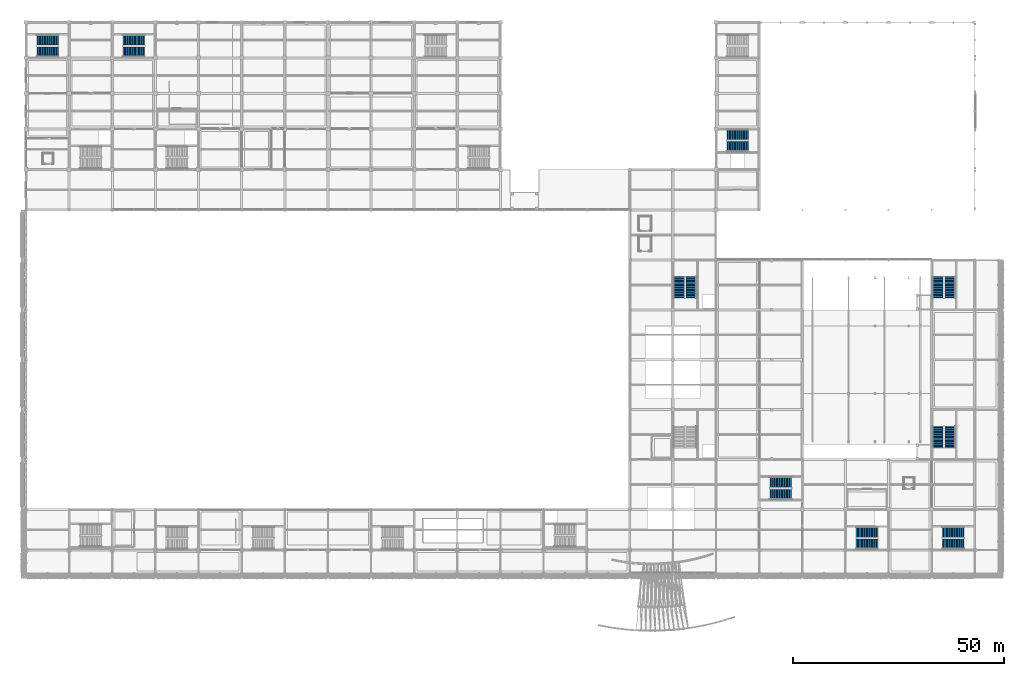
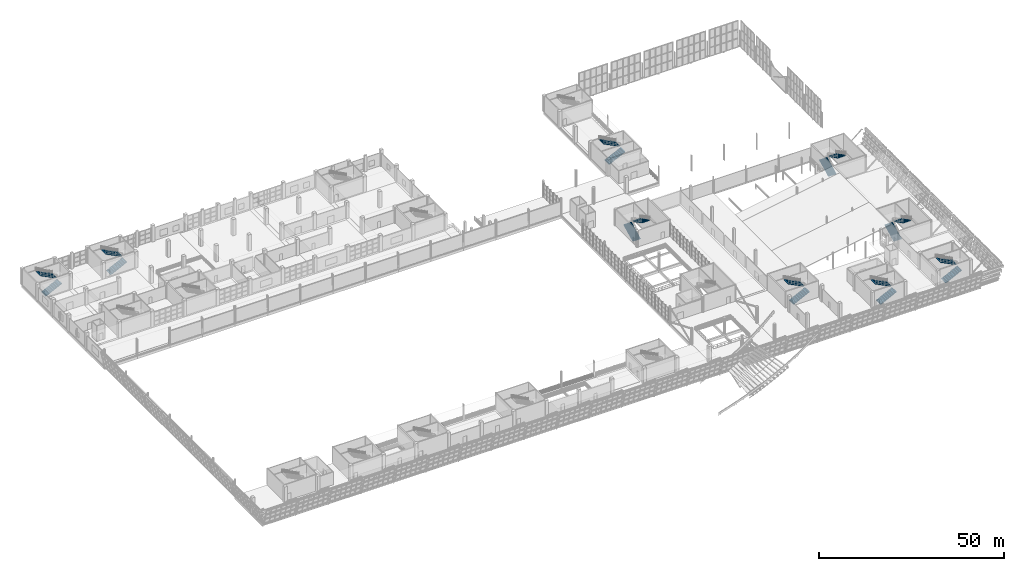
# One storey, part 140 of 175: 18 stair flights, 9 elements without a shape of their own.
"""IFC4 building model written with IfcOpenShell, lengths in metres."""

from ifc_helpers import new_model, si_unit, direction, frame, origin, place, context, subcontext, project, spatial, polyline, outline, extrude, material, type_object, element, aggregate, save


model = new_model("IFC4")

# Units and contexts
model_context = context("Model", 3, precision=1e-05, world=origin(), true_north=direction((0.0, 1.0)))
body_context = subcontext(model_context, "Body", "Model", "MODEL_VIEW")
ifc_project = project(units=[si_unit("LENGTHUNIT", "METRE"), si_unit("AREAUNIT", "SQUARE_METRE"), si_unit("VOLUMEUNIT", "CUBIC_METRE"), si_unit("PLANEANGLEUNIT", "RADIAN"), si_unit("MASSUNIT", "GRAM", prefix="KILO")], contexts=[model_context])

# Site, building, storey
site_placement = place(None, origin())
site = spatial("IfcSite", under=ifc_project, at=site_placement, CompositionType="ELEMENT")
building_placement = place(site_placement, origin())
building = spatial("IfcBuilding", under=site, at=building_placement, Name="Brelvane Convention Centre", CompositionType="ELEMENT")
storey_placement = place(building_placement, frame((0.0, 0.0, 5.39990234375)))
storey = spatial("IfcBuildingStorey", under=building, at=storey_placement, Name="L01", CompositionType="ELEMENT", Elevation=5.39990234375)

# Stair, stair flights
ifc_material_1 = material(Name="Concrete M40", Category="concrete")
stair_type_1 = type_object("IfcStairType", Name="Exit Stair ST-ASM", PredefinedType="HALF_TURN_STAIR", material=ifc_material_1)
stair_1_placement = place(storey_placement, origin())
stair_1 = element("IfcStair", 1, at=stair_1_placement, inside=storey, type_object=stair_type_1, Name="Exit Stair ST-04 (L01 to L02)", PredefinedType="HALF_TURN_STAIR")
ifc_material_2 = material(Name="Concrete M40", Category="concrete")
stair_flight_type_1 = type_object("IfcStairFlightType", Name="Stair Flight SF-A18", PredefinedType="STRAIGHT", material=ifc_material_2)
stair_flight_1_placement = place(storey_placement, frame((154.47998046875, 78.75, 0.0), z_axis=(0.0, 0.0, 1.0), x_axis=(0.0, 1.0, 0.0)))
stair_flight_1 = element("IfcStairFlight", 2, at=stair_flight_1_placement, type_object=stair_flight_type_1, Name="Stair ST-04 L01 Flight 1", NumberOfRisers=18, NumberOfTreads=17, PredefinedType="STRAIGHT", RiserHeight=0.15, TreadLength=0.3, context=body_context, shape_type="SweptSolid", body=[
    extrude(outline(polyline([(0.0, 0.0), (0.0, 0.14990234375), (0.300048828125, 0.14990234375), (0.300048828125, 0.300048828125), (0.60009765625, 0.300048828125), (0.60009765625, 0.449951171875), (0.89990234375, 0.449951171875), (0.89990234375, 0.60009765625), (1.199951171875, 0.60009765625), (1.199951171875, 0.75), (1.5, 0.75), (1.5, 0.89990234375), (1.800048828125, 0.89990234375), (1.800048828125, 1.050048828125), (2.10009765625, 1.050048828125), (2.10009765625, 1.199951171875), (2.39990234375, 1.199951171875), (2.39990234375, 1.35009765625), (2.699951171875, 1.35009765625), (2.699951171875, 1.5), (3.0, 1.5), (3.0, 1.64990234375), (3.300048828125, 1.64990234375), (3.300048828125, 1.800048828125), (3.60009765625, 1.800048828125), (3.60009765625, 1.949951171875), (3.89990234375, 1.949951171875), (3.89990234375, 2.10009765625), (4.199951171875, 2.10009765625), (4.199951171875, 2.25), (4.5, 2.25), (4.5, 2.39990234375), (4.800048828125, 2.39990234375), (4.800048828125, 2.550048828125), (5.10009765625, 2.550048828125), (5.10009765625, 2.699951171875), (5.10009765625, 2.348876953125), (0.40234375, 0.0), (0.0, 0.0)])), frame((0.0, 1.239990234375, 0.0), z_axis=(0.0, -1.0, 0.0), x_axis=(1.0, 0.0, 0.0)), (0.0, 0.0, 1.0), 2.47998046875),
])
stair_flight_2_placement = place(storey_placement, frame((157.320068359375, 83.85009765625, 2.7001953125), z_axis=(0.0, 0.0, 1.0), x_axis=(0.0, -1.0, 0.0)))
stair_flight_2 = element("IfcStairFlight", 3, at=stair_flight_2_placement, type_object=stair_flight_type_1, Name="Stair ST-04 L01 Flight 2", NumberOfRisers=18, NumberOfTreads=17, PredefinedType="STRAIGHT", RiserHeight=0.15, TreadLength=0.3, context=body_context, shape_type="SweptSolid", body=[
    extrude(outline(polyline([(0.0, 0.0), (0.0, 0.14990234375), (0.300048828125, 0.14990234375), (0.300048828125, 0.300048828125), (0.60009765625, 0.300048828125), (0.60009765625, 0.449951171875), (0.89990234375, 0.449951171875), (0.89990234375, 0.60009765625), (1.199951171875, 0.60009765625), (1.199951171875, 0.75), (1.5, 0.75), (1.5, 0.89990234375), (1.800048828125, 0.89990234375), (1.800048828125, 1.050048828125), (2.10009765625, 1.050048828125), (2.10009765625, 1.199951171875), (2.39990234375, 1.199951171875), (2.39990234375, 1.35009765625), (2.699951171875, 1.35009765625), (2.699951171875, 1.5), (3.0, 1.5), (3.0, 1.64990234375), (3.300048828125, 1.64990234375), (3.300048828125, 1.800048828125), (3.60009765625, 1.800048828125), (3.60009765625, 1.949951171875), (3.89990234375, 1.949951171875), (3.89990234375, 2.10009765625), (4.199951171875, 2.10009765625), (4.199951171875, 2.25), (4.5, 2.25), (4.5, 2.39990234375), (4.800048828125, 2.39990234375), (4.800048828125, 2.550048828125), (5.10009765625, 2.550048828125), (5.10009765625, 2.699951171875), (5.10009765625, 2.348876953125), (0.40234375, 0.0), (0.0, 0.0)])), frame((0.0, 1.239990234375, 0.0), z_axis=(0.0, -1.0, 0.0), x_axis=(1.0, 0.0, 0.0)), (0.0, 0.0, 1.0), 2.47998046875),
])
aggregate(stair_1, [stair_flight_1, stair_flight_2])

stair_2_placement = place(storey_placement, origin())
stair_2 = element("IfcStair", 4, at=stair_2_placement, inside=storey, type_object=stair_type_1, Name="Exit Stair ST-15 (L01 to L02)", PredefinedType="HALF_TURN_STAIR")
stair_flight_3_placement = place(storey_placement, frame((215.679931640625, 43.35009765625, 0.0), z_axis=(0.0, 0.0, 1.0), x_axis=(0.0, 1.0, 0.0)))
stair_flight_3 = element("IfcStairFlight", 5, at=stair_flight_3_placement, type_object=stair_flight_type_1, Name="Stair ST-15 L01 Flight 1", NumberOfRisers=18, NumberOfTreads=17, PredefinedType="STRAIGHT", RiserHeight=0.15, TreadLength=0.3, context=body_context, shape_type="SweptSolid", body=[
    extrude(outline(polyline([(0.0, 0.0), (0.0, 0.14990234375), (0.300048828125, 0.14990234375), (0.300048828125, 0.300048828125), (0.60009765625, 0.300048828125), (0.60009765625, 0.449951171875), (0.89990234375, 0.449951171875), (0.89990234375, 0.60009765625), (1.199951171875, 0.60009765625), (1.199951171875, 0.75), (1.5, 0.75), (1.5, 0.89990234375), (1.800048828125, 0.89990234375), (1.800048828125, 1.050048828125), (2.10009765625, 1.050048828125), (2.10009765625, 1.199951171875), (2.39990234375, 1.199951171875), (2.39990234375, 1.35009765625), (2.699951171875, 1.35009765625), (2.699951171875, 1.5), (3.0, 1.5), (3.0, 1.64990234375), (3.300048828125, 1.64990234375), (3.300048828125, 1.800048828125), (3.60009765625, 1.800048828125), (3.60009765625, 1.949951171875), (3.89990234375, 1.949951171875), (3.89990234375, 2.10009765625), (4.199951171875, 2.10009765625), (4.199951171875, 2.25), (4.5, 2.25), (4.5, 2.39990234375), (4.800048828125, 2.39990234375), (4.800048828125, 2.550048828125), (5.10009765625, 2.550048828125), (5.10009765625, 2.699951171875), (5.10009765625, 2.348876953125), (0.40234375, 0.0), (0.0, 0.0)])), frame((0.0, 1.239990234375, 0.0), z_axis=(0.0, -1.0, 0.0), x_axis=(1.0, 0.0, 0.0)), (0.0, 0.0, 1.0), 2.47998046875),
])
stair_flight_4_placement = place(storey_placement, frame((218.52001953125, 48.449951171875, 2.7001953125), z_axis=(0.0, 0.0, 1.0), x_axis=(0.0, -1.0, 0.0)))
stair_flight_4 = element("IfcStairFlight", 6, at=stair_flight_4_placement, type_object=stair_flight_type_1, Name="Stair ST-15 L01 Flight 2", NumberOfRisers=18, NumberOfTreads=17, PredefinedType="STRAIGHT", RiserHeight=0.15, TreadLength=0.3, context=body_context, shape_type="SweptSolid", body=[
    extrude(outline(polyline([(0.0, 0.0), (0.0, 0.14990234375), (0.300048828125, 0.14990234375), (0.300048828125, 0.300048828125), (0.60009765625, 0.300048828125), (0.60009765625, 0.449951171875), (0.89990234375, 0.449951171875), (0.89990234375, 0.60009765625), (1.199951171875, 0.60009765625), (1.199951171875, 0.75), (1.5, 0.75), (1.5, 0.89990234375), (1.800048828125, 0.89990234375), (1.800048828125, 1.050048828125), (2.10009765625, 1.050048828125), (2.10009765625, 1.199951171875), (2.39990234375, 1.199951171875), (2.39990234375, 1.35009765625), (2.699951171875, 1.35009765625), (2.699951171875, 1.5), (3.0, 1.5), (3.0, 1.64990234375), (3.300048828125, 1.64990234375), (3.300048828125, 1.800048828125), (3.60009765625, 1.800048828125), (3.60009765625, 1.949951171875), (3.89990234375, 1.949951171875), (3.89990234375, 2.10009765625), (4.199951171875, 2.10009765625), (4.199951171875, 2.25), (4.5, 2.25), (4.5, 2.39990234375), (4.800048828125, 2.39990234375), (4.800048828125, 2.550048828125), (5.10009765625, 2.550048828125), (5.10009765625, 2.699951171875), (5.10009765625, 2.348876953125), (0.40234375, 0.0), (0.0, 0.0)])), frame((0.0, 1.239990234375, 0.0), z_axis=(0.0, -1.0, 0.0), x_axis=(1.0, 0.0, 0.0)), (0.0, 0.0, 1.0), 2.47998046875),
])
aggregate(stair_2, [stair_flight_3, stair_flight_4])

stair_3_placement = place(storey_placement, origin())
stair_3 = element("IfcStair", 7, at=stair_3_placement, inside=storey, type_object=stair_type_1, Name="Exit Stair ST-16 (L01 to L02)", PredefinedType="HALF_TURN_STAIR")
stair_flight_5_placement = place(storey_placement, frame((215.679931640625, 78.75, 0.0), z_axis=(0.0, 0.0, 1.0), x_axis=(0.0, 1.0, 0.0)))
stair_flight_5 = element("IfcStairFlight", 8, at=stair_flight_5_placement, type_object=stair_flight_type_1, Name="Stair ST-16 L01 Flight 1", NumberOfRisers=18, NumberOfTreads=17, PredefinedType="STRAIGHT", RiserHeight=0.15, TreadLength=0.3, context=body_context, shape_type="SweptSolid", body=[
    extrude(outline(polyline([(0.0, 0.0), (0.0, 0.14990234375), (0.300048828125, 0.14990234375), (0.300048828125, 0.300048828125), (0.60009765625, 0.300048828125), (0.60009765625, 0.449951171875), (0.89990234375, 0.449951171875), (0.89990234375, 0.60009765625), (1.199951171875, 0.60009765625), (1.199951171875, 0.75), (1.5, 0.75), (1.5, 0.89990234375), (1.800048828125, 0.89990234375), (1.800048828125, 1.050048828125), (2.10009765625, 1.050048828125), (2.10009765625, 1.199951171875), (2.39990234375, 1.199951171875), (2.39990234375, 1.35009765625), (2.699951171875, 1.35009765625), (2.699951171875, 1.5), (3.0, 1.5), (3.0, 1.64990234375), (3.300048828125, 1.64990234375), (3.300048828125, 1.800048828125), (3.60009765625, 1.800048828125), (3.60009765625, 1.949951171875), (3.89990234375, 1.949951171875), (3.89990234375, 2.10009765625), (4.199951171875, 2.10009765625), (4.199951171875, 2.25), (4.5, 2.25), (4.5, 2.39990234375), (4.800048828125, 2.39990234375), (4.800048828125, 2.550048828125), (5.10009765625, 2.550048828125), (5.10009765625, 2.699951171875), (5.10009765625, 2.348876953125), (0.40234375, 0.0), (0.0, 0.0)])), frame((0.0, 1.239990234375, 0.0), z_axis=(0.0, -1.0, 0.0), x_axis=(1.0, 0.0, 0.0)), (0.0, 0.0, 1.0), 2.47998046875),
])
stair_flight_6_placement = place(storey_placement, frame((218.52001953125, 83.85009765625, 2.7001953125), z_axis=(0.0, 0.0, 1.0), x_axis=(0.0, -1.0, 0.0)))
stair_flight_6 = element("IfcStairFlight", 9, at=stair_flight_6_placement, type_object=stair_flight_type_1, Name="Stair ST-16 L01 Flight 2", NumberOfRisers=18, NumberOfTreads=17, PredefinedType="STRAIGHT", RiserHeight=0.15, TreadLength=0.3, context=body_context, shape_type="SweptSolid", body=[
    extrude(outline(polyline([(0.0, 0.0), (0.0, 0.14990234375), (0.300048828125, 0.14990234375), (0.300048828125, 0.300048828125), (0.60009765625, 0.300048828125), (0.60009765625, 0.449951171875), (0.89990234375, 0.449951171875), (0.89990234375, 0.60009765625), (1.199951171875, 0.60009765625), (1.199951171875, 0.75), (1.5, 0.75), (1.5, 0.89990234375), (1.800048828125, 0.89990234375), (1.800048828125, 1.050048828125), (2.10009765625, 1.050048828125), (2.10009765625, 1.199951171875), (2.39990234375, 1.199951171875), (2.39990234375, 1.35009765625), (2.699951171875, 1.35009765625), (2.699951171875, 1.5), (3.0, 1.5), (3.0, 1.64990234375), (3.300048828125, 1.64990234375), (3.300048828125, 1.800048828125), (3.60009765625, 1.800048828125), (3.60009765625, 1.949951171875), (3.89990234375, 1.949951171875), (3.89990234375, 2.10009765625), (4.199951171875, 2.10009765625), (4.199951171875, 2.25), (4.5, 2.25), (4.5, 2.39990234375), (4.800048828125, 2.39990234375), (4.800048828125, 2.550048828125), (5.10009765625, 2.550048828125), (5.10009765625, 2.699951171875), (5.10009765625, 2.348876953125), (0.40234375, 0.0), (0.0, 0.0)])), frame((0.0, 1.239990234375, 0.0), z_axis=(0.0, -1.0, 0.0), x_axis=(1.0, 0.0, 0.0)), (0.0, 0.0, 1.0), 2.47998046875),
])
aggregate(stair_3, [stair_flight_5, stair_flight_6])

ifc_material_3 = material(Name="Concrete M40", Category="concrete")
stair_type_2 = type_object("IfcStairType", Name="Exit Stair ST-CORE", PredefinedType="HALF_TURN_STAIR", material=ifc_material_3)
stair_4_placement = place(storey_placement, origin())
stair_4 = element("IfcStair", 10, at=stair_4_placement, inside=storey, type_object=stair_type_2, Name="Exit Stair ST-05 (L01 to L02)", PredefinedType="HALF_TURN_STAIR")
ifc_material_4 = material(Name="Concrete M40", Category="concrete")
stair_flight_type_2 = type_object("IfcStairFlightType", Name="Stair Flight SF-C18", PredefinedType="STRAIGHT", material=ifc_material_4)
stair_flight_7_placement = place(storey_placement, frame((165.75, 114.6298828125, 0.0), z_axis=(0.0, 0.0, 1.0), x_axis=(1.0, 0.0, 0.0)))
stair_flight_7 = element("IfcStairFlight", 11, at=stair_flight_7_placement, type_object=stair_flight_type_2, Name="Stair ST-05 L01 Flight 1", NumberOfRisers=18, NumberOfTreads=17, PredefinedType="STRAIGHT", RiserHeight=0.15, TreadLength=0.3, context=body_context, shape_type="SweptSolid", body=[
    extrude(outline(polyline([(0.0, 0.0), (0.0, 0.14990234375), (0.300048828125, 0.14990234375), (0.300048828125, 0.300048828125), (0.60009765625, 0.300048828125), (0.60009765625, 0.449951171875), (0.89990234375, 0.449951171875), (0.89990234375, 0.60009765625), (1.199951171875, 0.60009765625), (1.199951171875, 0.75), (1.5, 0.75), (1.5, 0.89990234375), (1.800048828125, 0.89990234375), (1.800048828125, 1.050048828125), (2.10009765625, 1.050048828125), (2.10009765625, 1.199951171875), (2.39990234375, 1.199951171875), (2.39990234375, 1.35009765625), (2.699951171875, 1.35009765625), (2.699951171875, 1.5), (3.0, 1.5), (3.0, 1.64990234375), (3.300048828125, 1.64990234375), (3.300048828125, 1.800048828125), (3.60009765625, 1.800048828125), (3.60009765625, 1.949951171875), (3.89990234375, 1.949951171875), (3.89990234375, 2.10009765625), (4.199951171875, 2.10009765625), (4.199951171875, 2.25), (4.5, 2.25), (4.5, 2.39990234375), (4.800048828125, 2.39990234375), (4.800048828125, 2.550048828125), (5.10009765625, 2.550048828125), (5.10009765625, 2.699951171875), (5.10009765625, 2.348876953125), (0.40234375, 0.0), (0.0, 0.0)])), frame((0.0, 1.18994140625, 0.0), z_axis=(0.0, -1.0, 0.0), x_axis=(1.0, 0.0, 0.0)), (0.0, 0.0, 1.0), 2.3798828125),
])
stair_flight_8_placement = place(storey_placement, frame((170.85009765625, 117.3701171875, 2.7001953125), z_axis=(0.0, 0.0, 1.0), x_axis=(-1.0, 0.0, 0.0)))
stair_flight_8 = element("IfcStairFlight", 12, at=stair_flight_8_placement, type_object=stair_flight_type_2, Name="Stair ST-05 L01 Flight 2", NumberOfRisers=18, NumberOfTreads=17, PredefinedType="STRAIGHT", RiserHeight=0.15, TreadLength=0.3, context=body_context, shape_type="SweptSolid", body=[
    extrude(outline(polyline([(0.0, 0.0), (0.0, 0.14990234375), (0.300048828125, 0.14990234375), (0.300048828125, 0.300048828125), (0.60009765625, 0.300048828125), (0.60009765625, 0.449951171875), (0.89990234375, 0.449951171875), (0.89990234375, 0.60009765625), (1.199951171875, 0.60009765625), (1.199951171875, 0.75), (1.5, 0.75), (1.5, 0.89990234375), (1.800048828125, 0.89990234375), (1.800048828125, 1.050048828125), (2.10009765625, 1.050048828125), (2.10009765625, 1.199951171875), (2.39990234375, 1.199951171875), (2.39990234375, 1.35009765625), (2.699951171875, 1.35009765625), (2.699951171875, 1.5), (3.0, 1.5), (3.0, 1.64990234375), (3.300048828125, 1.64990234375), (3.300048828125, 1.800048828125), (3.60009765625, 1.800048828125), (3.60009765625, 1.949951171875), (3.89990234375, 1.949951171875), (3.89990234375, 2.10009765625), (4.199951171875, 2.10009765625), (4.199951171875, 2.25), (4.5, 2.25), (4.5, 2.39990234375), (4.800048828125, 2.39990234375), (4.800048828125, 2.550048828125), (5.10009765625, 2.550048828125), (5.10009765625, 2.699951171875), (5.10009765625, 2.348876953125), (0.40234375, 0.0), (0.0, 0.0)])), frame((0.0, 1.18994140625, 0.0), z_axis=(0.0, -1.0, 0.0), x_axis=(1.0, 0.0, 0.0)), (0.0, 0.0, 1.0), 2.3798828125),
])
aggregate(stair_4, [stair_flight_7, stair_flight_8])

stair_5_placement = place(storey_placement, origin())
stair_5 = element("IfcStair", 13, at=stair_5_placement, inside=storey, type_object=stair_type_2, Name="Exit Stair ST-08 (L01 to L02)", PredefinedType="HALF_TURN_STAIR")
stair_flight_9_placement = place(storey_placement, frame((196.35009765625, 20.6298828125, 0.0), z_axis=(0.0, 0.0, 1.0), x_axis=(1.0, 0.0, 0.0)))
stair_flight_9 = element("IfcStairFlight", 14, at=stair_flight_9_placement, type_object=stair_flight_type_2, Name="Stair ST-08 L01 Flight 1", NumberOfRisers=18, NumberOfTreads=17, PredefinedType="STRAIGHT", RiserHeight=0.15, TreadLength=0.3, context=body_context, shape_type="SweptSolid", body=[
    extrude(outline(polyline([(0.0, 0.0), (0.0, 0.14990234375), (0.300048828125, 0.14990234375), (0.300048828125, 0.300048828125), (0.60009765625, 0.300048828125), (0.60009765625, 0.449951171875), (0.89990234375, 0.449951171875), (0.89990234375, 0.60009765625), (1.199951171875, 0.60009765625), (1.199951171875, 0.75), (1.5, 0.75), (1.5, 0.89990234375), (1.800048828125, 0.89990234375), (1.800048828125, 1.050048828125), (2.10009765625, 1.050048828125), (2.10009765625, 1.199951171875), (2.39990234375, 1.199951171875), (2.39990234375, 1.35009765625), (2.699951171875, 1.35009765625), (2.699951171875, 1.5), (3.0, 1.5), (3.0, 1.64990234375), (3.300048828125, 1.64990234375), (3.300048828125, 1.800048828125), (3.60009765625, 1.800048828125), (3.60009765625, 1.949951171875), (3.89990234375, 1.949951171875), (3.89990234375, 2.10009765625), (4.199951171875, 2.10009765625), (4.199951171875, 2.25), (4.5, 2.25), (4.5, 2.39990234375), (4.800048828125, 2.39990234375), (4.800048828125, 2.550048828125), (5.10009765625, 2.550048828125), (5.10009765625, 2.699951171875), (5.10009765625, 2.348876953125), (0.40234375, 0.0), (0.0, 0.0)])), frame((0.0, 1.18994140625, 0.0), z_axis=(0.0, -1.0, 0.0), x_axis=(1.0, 0.0, 0.0)), (0.0, 0.0, 1.0), 2.3798828125),
])
stair_flight_10_placement = place(storey_placement, frame((201.449951171875, 23.3701171875, 2.7001953125), z_axis=(0.0, 0.0, 1.0), x_axis=(-1.0, 0.0, 0.0)))
stair_flight_10 = element("IfcStairFlight", 15, at=stair_flight_10_placement, type_object=stair_flight_type_2, Name="Stair ST-08 L01 Flight 2", NumberOfRisers=18, NumberOfTreads=17, PredefinedType="STRAIGHT", RiserHeight=0.15, TreadLength=0.3, context=body_context, shape_type="SweptSolid", body=[
    extrude(outline(polyline([(0.0, 0.0), (0.0, 0.14990234375), (0.300048828125, 0.14990234375), (0.300048828125, 0.300048828125), (0.60009765625, 0.300048828125), (0.60009765625, 0.449951171875), (0.89990234375, 0.449951171875), (0.89990234375, 0.60009765625), (1.199951171875, 0.60009765625), (1.199951171875, 0.75), (1.5, 0.75), (1.5, 0.89990234375), (1.800048828125, 0.89990234375), (1.800048828125, 1.050048828125), (2.10009765625, 1.050048828125), (2.10009765625, 1.199951171875), (2.39990234375, 1.199951171875), (2.39990234375, 1.35009765625), (2.699951171875, 1.35009765625), (2.699951171875, 1.5), (3.0, 1.5), (3.0, 1.64990234375), (3.300048828125, 1.64990234375), (3.300048828125, 1.800048828125), (3.60009765625, 1.800048828125), (3.60009765625, 1.949951171875), (3.89990234375, 1.949951171875), (3.89990234375, 2.10009765625), (4.199951171875, 2.10009765625), (4.199951171875, 2.25), (4.5, 2.25), (4.5, 2.39990234375), (4.800048828125, 2.39990234375), (4.800048828125, 2.550048828125), (5.10009765625, 2.550048828125), (5.10009765625, 2.699951171875), (5.10009765625, 2.348876953125), (0.40234375, 0.0), (0.0, 0.0)])), frame((0.0, 1.18994140625, 0.0), z_axis=(0.0, -1.0, 0.0), x_axis=(1.0, 0.0, 0.0)), (0.0, 0.0, 1.0), 2.3798828125),
])
aggregate(stair_5, [stair_flight_9, stair_flight_10])

stair_6_placement = place(storey_placement, origin())
stair_6 = element("IfcStair", 16, at=stair_6_placement, inside=storey, type_object=stair_type_2, Name="Exit Stair ST-13 (L01 to L02)", PredefinedType="HALF_TURN_STAIR")
stair_flight_11_placement = place(storey_placement, frame((22.949951171875, 137.030029296875, 0.0), z_axis=(0.0, 0.0, 1.0), x_axis=(1.0, 0.0, 0.0)))
stair_flight_11 = element("IfcStairFlight", 17, at=stair_flight_11_placement, type_object=stair_flight_type_2, Name="Stair ST-13 L01 Flight 1", NumberOfRisers=18, NumberOfTreads=17, PredefinedType="STRAIGHT", RiserHeight=0.15, TreadLength=0.3, context=body_context, shape_type="SweptSolid", body=[
    extrude(outline(polyline([(0.0, 0.0), (0.0, 0.14990234375), (0.300048828125, 0.14990234375), (0.300048828125, 0.300048828125), (0.60009765625, 0.300048828125), (0.60009765625, 0.449951171875), (0.89990234375, 0.449951171875), (0.89990234375, 0.60009765625), (1.199951171875, 0.60009765625), (1.199951171875, 0.75), (1.5, 0.75), (1.5, 0.89990234375), (1.800048828125, 0.89990234375), (1.800048828125, 1.050048828125), (2.10009765625, 1.050048828125), (2.10009765625, 1.199951171875), (2.39990234375, 1.199951171875), (2.39990234375, 1.35009765625), (2.699951171875, 1.35009765625), (2.699951171875, 1.5), (3.0, 1.5), (3.0, 1.64990234375), (3.300048828125, 1.64990234375), (3.300048828125, 1.800048828125), (3.60009765625, 1.800048828125), (3.60009765625, 1.949951171875), (3.89990234375, 1.949951171875), (3.89990234375, 2.10009765625), (4.199951171875, 2.10009765625), (4.199951171875, 2.25), (4.5, 2.25), (4.5, 2.39990234375), (4.800048828125, 2.39990234375), (4.800048828125, 2.550048828125), (5.10009765625, 2.550048828125), (5.10009765625, 2.699951171875), (5.10009765625, 2.348876953125), (0.40234375, 0.0), (0.0, 0.0)])), frame((0.0, 1.18994140625, 0.0), z_axis=(0.0, -1.0, 0.0), x_axis=(1.0, 0.0, 0.0)), (0.0, 0.0, 1.0), 2.3798828125),
])
stair_flight_12_placement = place(storey_placement, frame((28.050048828125, 139.77001953125, 2.7001953125), z_axis=(0.0, 0.0, 1.0), x_axis=(-1.0, 0.0, 0.0)))
stair_flight_12 = element("IfcStairFlight", 18, at=stair_flight_12_placement, type_object=stair_flight_type_2, Name="Stair ST-13 L01 Flight 2", NumberOfRisers=18, NumberOfTreads=17, PredefinedType="STRAIGHT", RiserHeight=0.15, TreadLength=0.3, context=body_context, shape_type="SweptSolid", body=[
    extrude(outline(polyline([(0.0, 0.0), (0.0, 0.14990234375), (0.300048828125, 0.14990234375), (0.300048828125, 0.300048828125), (0.60009765625, 0.300048828125), (0.60009765625, 0.449951171875), (0.89990234375, 0.449951171875), (0.89990234375, 0.60009765625), (1.199951171875, 0.60009765625), (1.199951171875, 0.75), (1.5, 0.75), (1.5, 0.89990234375), (1.800048828125, 0.89990234375), (1.800048828125, 1.050048828125), (2.10009765625, 1.050048828125), (2.10009765625, 1.199951171875), (2.39990234375, 1.199951171875), (2.39990234375, 1.35009765625), (2.699951171875, 1.35009765625), (2.699951171875, 1.5), (3.0, 1.5), (3.0, 1.64990234375), (3.300048828125, 1.64990234375), (3.300048828125, 1.800048828125), (3.60009765625, 1.800048828125), (3.60009765625, 1.949951171875), (3.89990234375, 1.949951171875), (3.89990234375, 2.10009765625), (4.199951171875, 2.10009765625), (4.199951171875, 2.25), (4.5, 2.25), (4.5, 2.39990234375), (4.800048828125, 2.39990234375), (4.800048828125, 2.550048828125), (5.10009765625, 2.550048828125), (5.10009765625, 2.699951171875), (5.10009765625, 2.348876953125), (0.40234375, 0.0), (0.0, 0.0)])), frame((0.0, 1.18994140625, 0.0), z_axis=(0.0, -1.0, 0.0), x_axis=(1.0, 0.0, 0.0)), (0.0, 0.0, 1.0), 2.3798828125),
])
aggregate(stair_6, [stair_flight_11, stair_flight_12])

stair_7_placement = place(storey_placement, origin())
stair_7 = element("IfcStair", 19, at=stair_7_placement, inside=storey, type_object=stair_type_2, Name="Exit Stair ST-14 (L01 to L02)", PredefinedType="HALF_TURN_STAIR")
stair_flight_13_placement = place(storey_placement, frame((216.75, 20.6298828125, 0.0), z_axis=(0.0, 0.0, 1.0), x_axis=(1.0, 0.0, 0.0)))
stair_flight_13 = element("IfcStairFlight", 20, at=stair_flight_13_placement, type_object=stair_flight_type_2, Name="Stair ST-14 L01 Flight 1", NumberOfRisers=18, NumberOfTreads=17, PredefinedType="STRAIGHT", RiserHeight=0.15, TreadLength=0.3, context=body_context, shape_type="SweptSolid", body=[
    extrude(outline(polyline([(0.0, 0.0), (0.0, 0.14990234375), (0.300048828125, 0.14990234375), (0.300048828125, 0.300048828125), (0.60009765625, 0.300048828125), (0.60009765625, 0.449951171875), (0.89990234375, 0.449951171875), (0.89990234375, 0.60009765625), (1.199951171875, 0.60009765625), (1.199951171875, 0.75), (1.5, 0.75), (1.5, 0.89990234375), (1.800048828125, 0.89990234375), (1.800048828125, 1.050048828125), (2.10009765625, 1.050048828125), (2.10009765625, 1.199951171875), (2.39990234375, 1.199951171875), (2.39990234375, 1.35009765625), (2.699951171875, 1.35009765625), (2.699951171875, 1.5), (3.0, 1.5), (3.0, 1.64990234375), (3.300048828125, 1.64990234375), (3.300048828125, 1.800048828125), (3.60009765625, 1.800048828125), (3.60009765625, 1.949951171875), (3.89990234375, 1.949951171875), (3.89990234375, 2.10009765625), (4.199951171875, 2.10009765625), (4.199951171875, 2.25), (4.5, 2.25), (4.5, 2.39990234375), (4.800048828125, 2.39990234375), (4.800048828125, 2.550048828125), (5.10009765625, 2.550048828125), (5.10009765625, 2.699951171875), (5.10009765625, 2.348876953125), (0.40234375, 0.0), (0.0, 0.0)])), frame((0.0, 1.18994140625, 0.0), z_axis=(0.0, -1.0, 0.0), x_axis=(1.0, 0.0, 0.0)), (0.0, 0.0, 1.0), 2.3798828125),
])
stair_flight_14_placement = place(storey_placement, frame((221.85009765625, 23.3701171875, 2.7001953125), z_axis=(0.0, 0.0, 1.0), x_axis=(-1.0, 0.0, 0.0)))
stair_flight_14 = element("IfcStairFlight", 21, at=stair_flight_14_placement, type_object=stair_flight_type_2, Name="Stair ST-14 L01 Flight 2", NumberOfRisers=18, NumberOfTreads=17, PredefinedType="STRAIGHT", RiserHeight=0.15, TreadLength=0.3, context=body_context, shape_type="SweptSolid", body=[
    extrude(outline(polyline([(0.0, 0.0), (0.0, 0.14990234375), (0.300048828125, 0.14990234375), (0.300048828125, 0.300048828125), (0.60009765625, 0.300048828125), (0.60009765625, 0.449951171875), (0.89990234375, 0.449951171875), (0.89990234375, 0.60009765625), (1.199951171875, 0.60009765625), (1.199951171875, 0.75), (1.5, 0.75), (1.5, 0.89990234375), (1.800048828125, 0.89990234375), (1.800048828125, 1.050048828125), (2.10009765625, 1.050048828125), (2.10009765625, 1.199951171875), (2.39990234375, 1.199951171875), (2.39990234375, 1.35009765625), (2.699951171875, 1.35009765625), (2.699951171875, 1.5), (3.0, 1.5), (3.0, 1.64990234375), (3.300048828125, 1.64990234375), (3.300048828125, 1.800048828125), (3.60009765625, 1.800048828125), (3.60009765625, 1.949951171875), (3.89990234375, 1.949951171875), (3.89990234375, 2.10009765625), (4.199951171875, 2.10009765625), (4.199951171875, 2.25), (4.5, 2.25), (4.5, 2.39990234375), (4.800048828125, 2.39990234375), (4.800048828125, 2.550048828125), (5.10009765625, 2.550048828125), (5.10009765625, 2.699951171875), (5.10009765625, 2.348876953125), (0.40234375, 0.0), (0.0, 0.0)])), frame((0.0, 1.18994140625, 0.0), z_axis=(0.0, -1.0, 0.0), x_axis=(1.0, 0.0, 0.0)), (0.0, 0.0, 1.0), 2.3798828125),
])
aggregate(stair_7, [stair_flight_13, stair_flight_14])

stair_8_placement = place(storey_placement, origin())
stair_8 = element("IfcStair", 22, at=stair_8_placement, inside=storey, type_object=stair_type_2, Name="Exit Stair ST-17 (L01 to L02)", PredefinedType="HALF_TURN_STAIR")
stair_flight_15_placement = place(storey_placement, frame((2.550048828125, 137.030029296875, 0.0), z_axis=(0.0, 0.0, 1.0), x_axis=(1.0, 0.0, 0.0)))
stair_flight_15 = element("IfcStairFlight", 23, at=stair_flight_15_placement, type_object=stair_flight_type_2, Name="Stair ST-17 L01 Flight 1", NumberOfRisers=18, NumberOfTreads=17, PredefinedType="STRAIGHT", RiserHeight=0.15, TreadLength=0.3, context=body_context, shape_type="SweptSolid", body=[
    extrude(outline(polyline([(0.0, 0.0), (0.0, 0.14990234375), (0.300048828125, 0.14990234375), (0.300048828125, 0.300048828125), (0.60009765625, 0.300048828125), (0.60009765625, 0.449951171875), (0.89990234375, 0.449951171875), (0.89990234375, 0.60009765625), (1.199951171875, 0.60009765625), (1.199951171875, 0.75), (1.5, 0.75), (1.5, 0.89990234375), (1.800048828125, 0.89990234375), (1.800048828125, 1.050048828125), (2.10009765625, 1.050048828125), (2.10009765625, 1.199951171875), (2.39990234375, 1.199951171875), (2.39990234375, 1.35009765625), (2.699951171875, 1.35009765625), (2.699951171875, 1.5), (3.0, 1.5), (3.0, 1.64990234375), (3.300048828125, 1.64990234375), (3.300048828125, 1.800048828125), (3.60009765625, 1.800048828125), (3.60009765625, 1.949951171875), (3.89990234375, 1.949951171875), (3.89990234375, 2.10009765625), (4.199951171875, 2.10009765625), (4.199951171875, 2.25), (4.5, 2.25), (4.5, 2.39990234375), (4.800048828125, 2.39990234375), (4.800048828125, 2.550048828125), (5.10009765625, 2.550048828125), (5.10009765625, 2.699951171875), (5.10009765625, 2.348876953125), (0.40234375, 0.0), (0.0, 0.0)])), frame((0.0, 1.18994140625, 0.0), z_axis=(0.0, -1.0, 0.0), x_axis=(1.0, 0.0, 0.0)), (0.0, 0.0, 1.0), 2.3798828125),
])
stair_flight_16_placement = place(storey_placement, frame((7.64990234375, 139.77001953125, 2.7001953125), z_axis=(0.0, 0.0, 1.0), x_axis=(-1.0, 0.0, 0.0)))
stair_flight_16 = element("IfcStairFlight", 24, at=stair_flight_16_placement, type_object=stair_flight_type_2, Name="Stair ST-17 L01 Flight 2", NumberOfRisers=18, NumberOfTreads=17, PredefinedType="STRAIGHT", RiserHeight=0.15, TreadLength=0.3, context=body_context, shape_type="SweptSolid", body=[
    extrude(outline(polyline([(0.0, 0.0), (0.0, 0.14990234375), (0.300048828125, 0.14990234375), (0.300048828125, 0.300048828125), (0.60009765625, 0.300048828125), (0.60009765625, 0.449951171875), (0.89990234375, 0.449951171875), (0.89990234375, 0.60009765625), (1.199951171875, 0.60009765625), (1.199951171875, 0.75), (1.5, 0.75), (1.5, 0.89990234375), (1.800048828125, 0.89990234375), (1.800048828125, 1.050048828125), (2.10009765625, 1.050048828125), (2.10009765625, 1.199951171875), (2.39990234375, 1.199951171875), (2.39990234375, 1.35009765625), (2.699951171875, 1.35009765625), (2.699951171875, 1.5), (3.0, 1.5), (3.0, 1.64990234375), (3.300048828125, 1.64990234375), (3.300048828125, 1.800048828125), (3.60009765625, 1.800048828125), (3.60009765625, 1.949951171875), (3.89990234375, 1.949951171875), (3.89990234375, 2.10009765625), (4.199951171875, 2.10009765625), (4.199951171875, 2.25), (4.5, 2.25), (4.5, 2.39990234375), (4.800048828125, 2.39990234375), (4.800048828125, 2.550048828125), (5.10009765625, 2.550048828125), (5.10009765625, 2.699951171875), (5.10009765625, 2.348876953125), (0.40234375, 0.0), (0.0, 0.0)])), frame((0.0, 1.18994140625, 0.0), z_axis=(0.0, -1.0, 0.0), x_axis=(1.0, 0.0, 0.0)), (0.0, 0.0, 1.0), 2.3798828125),
])
aggregate(stair_8, [stair_flight_15, stair_flight_16])

stair_9_placement = place(storey_placement, origin())
stair_9 = element("IfcStair", 25, at=stair_9_placement, inside=storey, type_object=stair_type_2, Name="Exit Stair ST-18 (L01 to L02)", PredefinedType="HALF_TURN_STAIR")
stair_flight_17_placement = place(storey_placement, frame((175.949951171875, 32.429931640625, 0.0), z_axis=(0.0, 0.0, 1.0), x_axis=(1.0, 0.0, 0.0)))
stair_flight_17 = element("IfcStairFlight", 26, at=stair_flight_17_placement, type_object=stair_flight_type_2, Name="Stair ST-18 L01 Flight 1", NumberOfRisers=18, NumberOfTreads=17, PredefinedType="STRAIGHT", RiserHeight=0.15, TreadLength=0.3, context=body_context, shape_type="SweptSolid", body=[
    extrude(outline(polyline([(0.0, 0.0), (0.0, 0.14990234375), (0.300048828125, 0.14990234375), (0.300048828125, 0.300048828125), (0.60009765625, 0.300048828125), (0.60009765625, 0.449951171875), (0.89990234375, 0.449951171875), (0.89990234375, 0.60009765625), (1.199951171875, 0.60009765625), (1.199951171875, 0.75), (1.5, 0.75), (1.5, 0.89990234375), (1.800048828125, 0.89990234375), (1.800048828125, 1.050048828125), (2.10009765625, 1.050048828125), (2.10009765625, 1.199951171875), (2.39990234375, 1.199951171875), (2.39990234375, 1.35009765625), (2.699951171875, 1.35009765625), (2.699951171875, 1.5), (3.0, 1.5), (3.0, 1.64990234375), (3.300048828125, 1.64990234375), (3.300048828125, 1.800048828125), (3.60009765625, 1.800048828125), (3.60009765625, 1.949951171875), (3.89990234375, 1.949951171875), (3.89990234375, 2.10009765625), (4.199951171875, 2.10009765625), (4.199951171875, 2.25), (4.5, 2.25), (4.5, 2.39990234375), (4.800048828125, 2.39990234375), (4.800048828125, 2.550048828125), (5.10009765625, 2.550048828125), (5.10009765625, 2.699951171875), (5.10009765625, 2.348876953125), (0.40234375, 0.0), (0.0, 0.0)])), frame((0.0, 1.18994140625, 0.0), z_axis=(0.0, -1.0, 0.0), x_axis=(1.0, 0.0, 0.0)), (0.0, 0.0, 1.0), 2.3798828125),
])
stair_flight_18_placement = place(storey_placement, frame((181.050048828125, 35.169921875, 2.7001953125), z_axis=(0.0, 0.0, 1.0), x_axis=(-1.0, 0.0, 0.0)))
stair_flight_18 = element("IfcStairFlight", 27, at=stair_flight_18_placement, type_object=stair_flight_type_2, Name="Stair ST-18 L01 Flight 2", NumberOfRisers=18, NumberOfTreads=17, PredefinedType="STRAIGHT", RiserHeight=0.15, TreadLength=0.3, context=body_context, shape_type="SweptSolid", body=[
    extrude(outline(polyline([(0.0, 0.0), (0.0, 0.14990234375), (0.300048828125, 0.14990234375), (0.300048828125, 0.300048828125), (0.60009765625, 0.300048828125), (0.60009765625, 0.449951171875), (0.89990234375, 0.449951171875), (0.89990234375, 0.60009765625), (1.199951171875, 0.60009765625), (1.199951171875, 0.75), (1.5, 0.75), (1.5, 0.89990234375), (1.800048828125, 0.89990234375), (1.800048828125, 1.050048828125), (2.10009765625, 1.050048828125), (2.10009765625, 1.199951171875), (2.39990234375, 1.199951171875), (2.39990234375, 1.35009765625), (2.699951171875, 1.35009765625), (2.699951171875, 1.5), (3.0, 1.5), (3.0, 1.64990234375), (3.300048828125, 1.64990234375), (3.300048828125, 1.800048828125), (3.60009765625, 1.800048828125), (3.60009765625, 1.949951171875), (3.89990234375, 1.949951171875), (3.89990234375, 2.10009765625), (4.199951171875, 2.10009765625), (4.199951171875, 2.25), (4.5, 2.25), (4.5, 2.39990234375), (4.800048828125, 2.39990234375), (4.800048828125, 2.550048828125), (5.10009765625, 2.550048828125), (5.10009765625, 2.699951171875), (5.10009765625, 2.348876953125), (0.40234375, 0.0), (0.0, 0.0)])), frame((0.0, 1.18994140625, 0.0), z_axis=(0.0, -1.0, 0.0), x_axis=(1.0, 0.0, 0.0)), (0.0, 0.0, 1.0), 2.3798828125),
])
aggregate(stair_9, [stair_flight_17, stair_flight_18])

save(model, "model.ifc")
